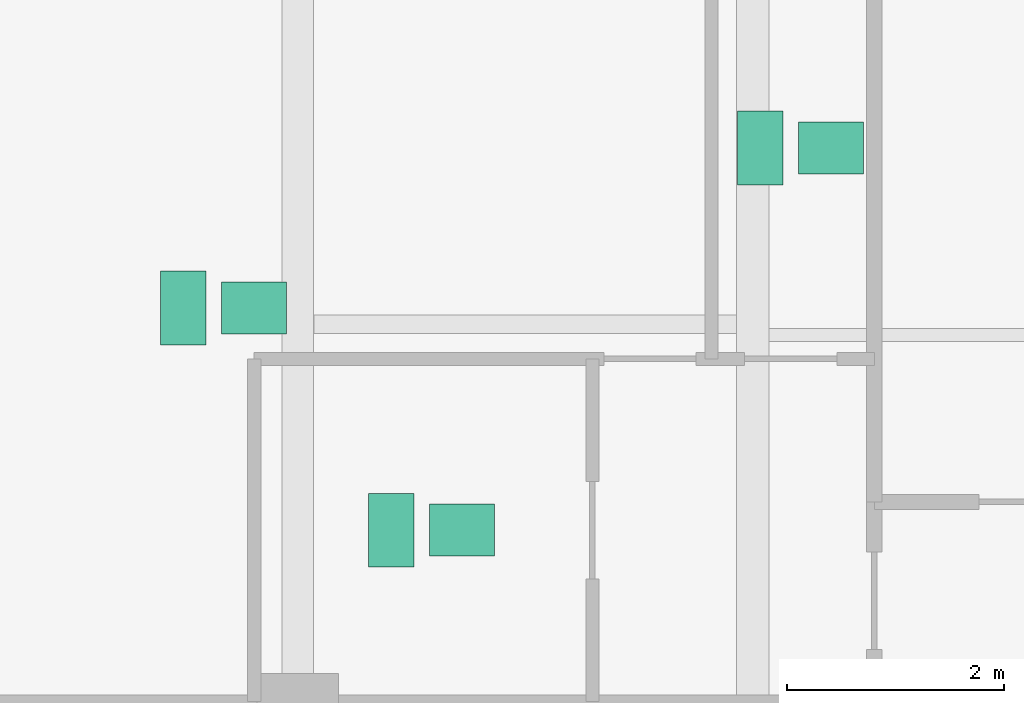
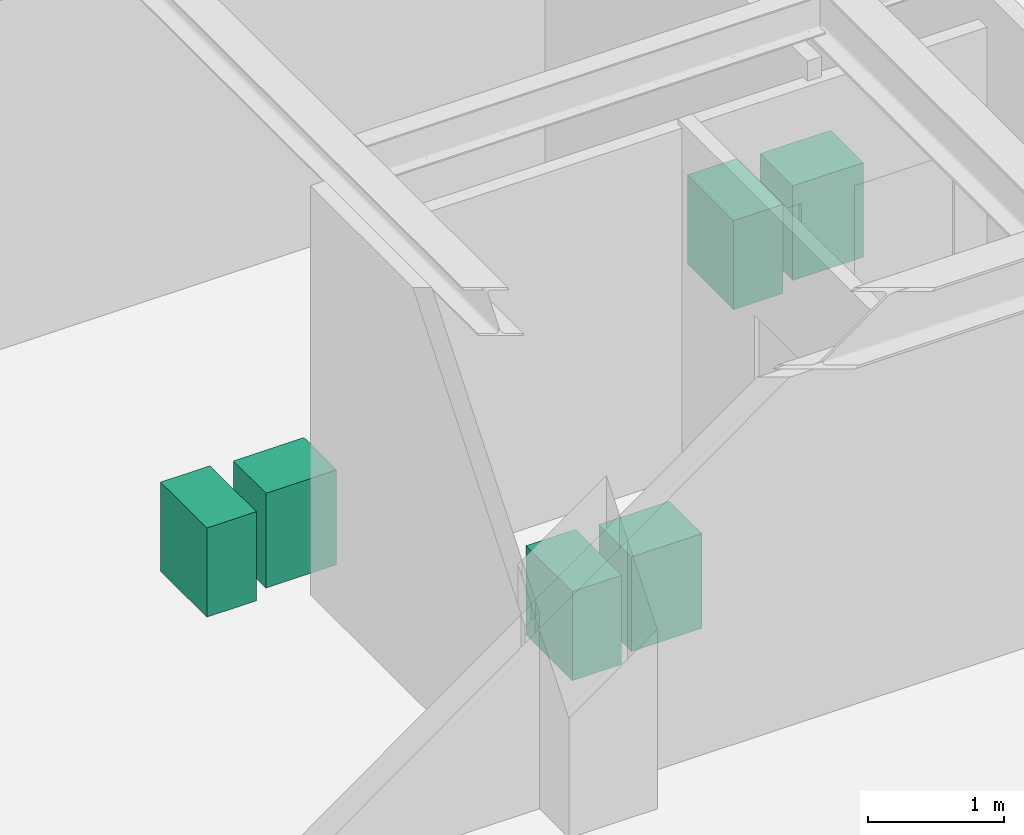
# One storey, part 20 of 20: 6 sanitary terminals.
"""IFC4 building model written with IfcOpenShell, lengths in metres."""

from ifc_helpers import new_model, si_unit, direction, frame, origin, origin_2d, place, context, subcontext, project, spatial, rectangle, extrude, source, transform, mapped, material, type_object, type_shapes, element, save


model = new_model("IFC4")

# Units and contexts
model_context = context("Model", 3, precision=1e-05, world=origin(), true_north=direction((0.0, 1.0)))
body_context = subcontext(model_context, "Body", "Model", "MODEL_VIEW")
ifc_project = project(units=[si_unit("LENGTHUNIT", "METRE"), si_unit("AREAUNIT", "SQUARE_METRE"), si_unit("VOLUMEUNIT", "CUBIC_METRE"), si_unit("PLANEANGLEUNIT", "RADIAN"), si_unit("MASSUNIT", "GRAM", prefix="KILO")], contexts=[model_context])

# Site, building, storey
site_placement = place(None, origin())
site = spatial("IfcSite", under=ifc_project, at=site_placement, CompositionType="ELEMENT")
building_placement = place(site_placement, origin())
building = spatial("IfcBuilding", under=site, at=building_placement, Name="Krantzveldt Concourse Tower", CompositionType="ELEMENT")
storey_placement = place(building_placement, frame((0.0, 0.0, 283.199951171875)))
storey = spatial("IfcBuildingStorey", under=building, at=storey_placement, Name="L69", CompositionType="ELEMENT", Elevation=283.199951171875)

# Sanitary terminals
ifc_material = material(Name="Vitreous china", Category="ceramic")
sanitary_terminal_type_1 = type_object("IfcSanitaryTerminalType", Name="SAN-WC-SUITE", PredefinedType="TOILETPAN", material=ifc_material)
shared_shape_1 = source(origin(), body_context, "Body", "SweptSolid", [
    extrude(rectangle(XDim=0.419921875, YDim=0.679931640625, at=origin_2d()), origin(), (0.0, 0.0, 1.0), 0.800048828125),
])
type_shapes(sanitary_terminal_type_1, [shared_shape_1])
for number, where, z_axis, x_axis, name in (
    (1, (19.94580078125, 30.449462890625, 0.0), (0.0, 0.0, 1.0), (1.0, 0.0, 0.0), "WC-SP-L69-WCM"),
    (2, (25.27001953125, 31.925048828125, 0.0), (0.0, 0.0, 1.0), (1.0, 0.0, 0.0), "WC-SP-L69-WCF"),
    (3, (21.864990234375, 28.39990234375, 0.0), (0.0, 0.0, 1.0), (1.0, 0.0, 0.0), "WC-SP-L69-WCA"),
):
    element("IfcSanitaryTerminal", number, at=place(storey_placement, frame(where, z_axis=z_axis, x_axis=x_axis)), inside=storey, type_object=sanitary_terminal_type_1, Name=name, PredefinedType="TOILETPAN", context=body_context, shape_type="MappedRepresentation", body=[
        mapped(shared_shape_1, transform((0.0, 0.0, 0.0), x_axis=(1.0, 0.0, 0.0), y_axis=(0.0, 1.0, 0.0), z_axis=(0.0, 0.0, 1.0), scale=1.0)),
    ])
sanitary_terminal_type_2 = type_object("IfcSanitaryTerminalType", Name="SAN-BASIN-600", PredefinedType="WASHHANDBASIN", material=ifc_material)
shared_shape_2 = source(origin(), body_context, "Body", "SweptSolid", [
    extrude(rectangle(XDim=0.60009765625, YDim=0.47998046875, at=origin_2d()), origin(), (0.0, 0.0, 1.0), 0.85009765625),
])
type_shapes(sanitary_terminal_type_2, [shared_shape_2])
for number, where, z_axis, x_axis, name in (
    (4, (20.595703125, 30.449462890625, 0.0048828125), (0.0, 0.0, 1.0), (1.0, 0.0, 0.0), "BSN-SP-L69-WCM"),
    (5, (25.919921875, 31.925048828125, 0.0048828125), (0.0, 0.0, 1.0), (1.0, 0.0, 0.0), "BSN-SP-L69-WCF"),
    (6, (22.514892578125, 28.39990234375, 0.0048828125), (0.0, 0.0, 1.0), (1.0, 0.0, 0.0), "BSN-SP-L69-WCA"),
):
    element("IfcSanitaryTerminal", number, at=place(storey_placement, frame(where, z_axis=z_axis, x_axis=x_axis)), inside=storey, type_object=sanitary_terminal_type_2, Name=name, PredefinedType="WASHHANDBASIN", context=body_context, shape_type="MappedRepresentation", body=[
        mapped(shared_shape_2, transform((0.0, 0.0, 0.0), x_axis=(1.0, 0.0, 0.0), y_axis=(0.0, 1.0, 0.0), z_axis=(0.0, 0.0, 1.0), scale=1.0)),
    ])

save(model, "model.ifc")
